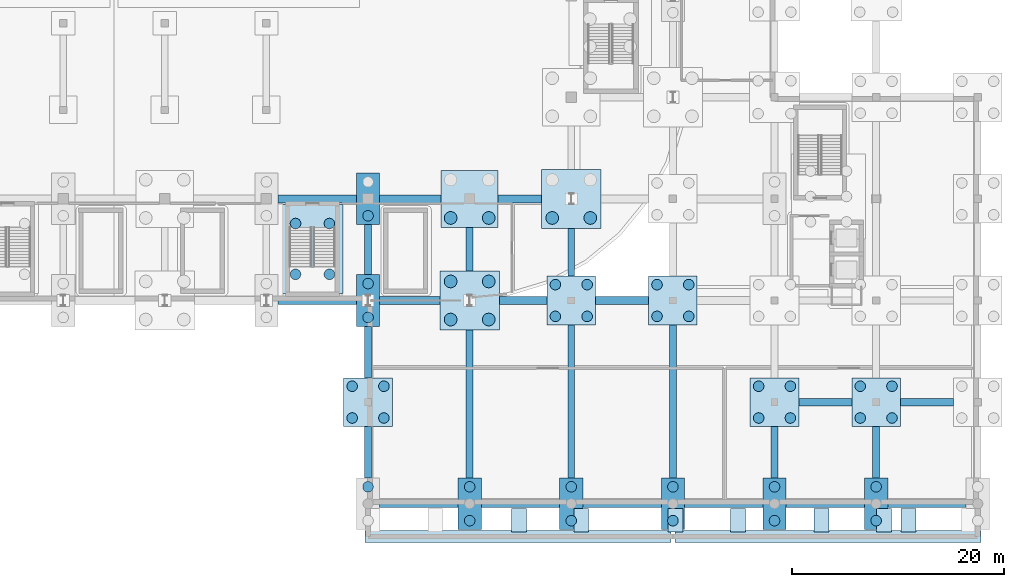
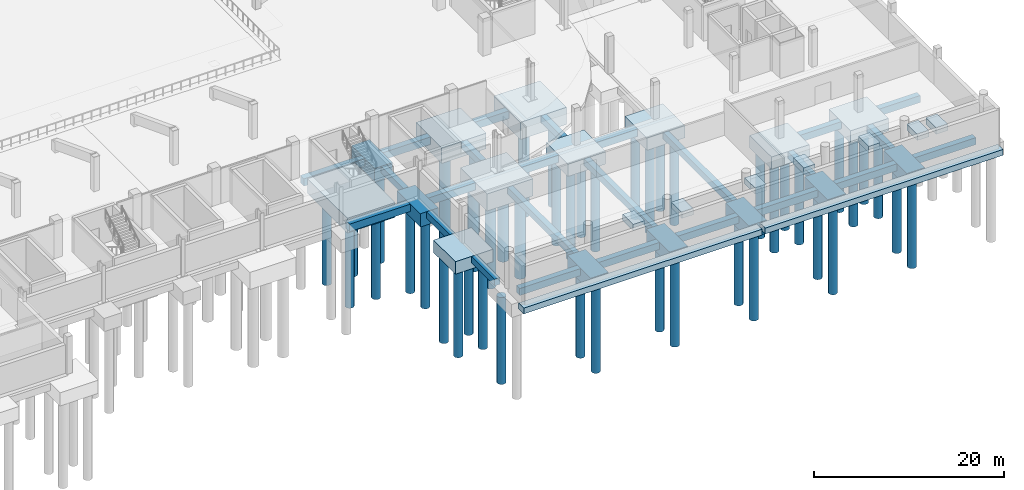
# One storey, part 6 of 67: 50 footings, 46 piles.
"""IFC4 building model written with IfcOpenShell, lengths in metres."""

import ifcopenshell
import ifcopenshell.guid

model = None  # the IFC model being written
_history = None  # IfcOwnerHistory: only IFC2X3 demands one
_inside = {}  # id of a spatial element -> (the spatial element, [elements in it])
_under = {}  # id of a project, library or spatial element -> (it, [spatial elements below it])
_declared = {}  # id of a project -> (the project, [libraries it declares])
_typed = {}  # id of a type object -> (the type object, [elements of that type])
_made_of = {}  # id of a material, layer set ... -> (it, [elements and type objects made of it])


def new_model(schema):
    """Start an empty IFC model of exactly this schema.

    Asked for "IFC4X3", IfcOpenShell would pick the latest addendum, in which some entities
    have other attributes; the version numbers below select the first issue.
    IFC2X3 requires an IfcOwnerHistory on every rooted entity: one is made here for all.
    """
    global model, _history
    if schema == "IFC4X3":
        model = ifcopenshell.file(schema_version=(4, 3, 0, 0))
    else:
        model = ifcopenshell.file(schema=schema)
    _inside.clear()
    _under.clear()
    _declared.clear()
    _typed.clear()
    _made_of.clear()
    _history = None
    if model.schema == "IFC2X3":
        org = make("IfcOrganization", Name="unknown")
        user = make(
            "IfcPersonAndOrganization",
            ThePerson=make("IfcPerson", FamilyName="unknown"),
            TheOrganization=org,
        )
        app = make(
            "IfcApplication",
            ApplicationDeveloper=org,
            Version="unknown",
            ApplicationFullName="unknown",
            ApplicationIdentifier="unknown",
        )
        _history = make(
            "IfcOwnerHistory",
            OwningUser=user,
            OwningApplication=app,
            ChangeAction="ADDED",
            CreationDate=0,
        )
    return model


def make(cls, **values):
    """One entity of the class cls with the attributes given. An attribute that is None is left unset."""
    return model.create_entity(
        cls, **{name: value for name, value in values.items() if value is not None}
    )


def rooted(cls, **values):
    """An entity with a GlobalId (a new one), such as an element, a storey or a relation."""
    return make(cls, GlobalId=ifcopenshell.guid.new(), OwnerHistory=_history, **values)


def si_unit(unit_type, name, prefix=None):
    """IfcSIUnit, for example si_unit("LENGTHUNIT", "METRE", prefix="MILLI")."""
    return make("IfcSIUnit", UnitType=unit_type, Prefix=prefix, Name=name)


def assignment(units):
    """IfcUnitAssignment: the units of a project."""
    return None if units is None else make("IfcUnitAssignment", Units=units)


def point(xyz):
    """IfcCartesianPoint."""
    return None if xyz is None else make("IfcCartesianPoint", Coordinates=xyz)


def direction(xyz):
    """IfcDirection."""
    return None if xyz is None else make("IfcDirection", DirectionRatios=xyz)


def frame(location, z_axis=None, x_axis=None):
    """IfcAxis2Placement3D, a coordinate frame: its origin and axes. An axis left out is left unset."""
    return make(
        "IfcAxis2Placement3D",
        Location=point(location),
        Axis=direction(z_axis),
        RefDirection=direction(x_axis),
    )


def frame_2d(location, x_axis=None):
    """IfcAxis2Placement2D, a coordinate frame in the plane: its origin and x axis."""
    return make(
        "IfcAxis2Placement2D", Location=point(location), RefDirection=direction(x_axis)
    )


def origin():
    """The frame at (0, 0, 0) with its axes left unset."""
    return frame((0.0, 0.0, 0.0))


def origin_2d():
    """The frame at (0, 0) in the plane with its x axis left unset."""
    return frame_2d((0.0, 0.0))


def place(relative_to, where):
    """IfcLocalPlacement: puts the frame where relative to a parent placement (None: the world)."""
    return make(
        "IfcLocalPlacement", PlacementRelTo=relative_to, RelativePlacement=where
    )


def context(
    kind, dimensions, precision=None, world=None, true_north=None, identifier=None
):
    """IfcGeometricRepresentationContext, for example the 3D "Model" context."""
    return make(
        "IfcGeometricRepresentationContext",
        ContextIdentifier=identifier,
        ContextType=kind,
        CoordinateSpaceDimension=dimensions,
        Precision=precision,
        WorldCoordinateSystem=world,
        TrueNorth=true_north,
    )


def subcontext(parent, identifier, kind, view, scale=None):
    """IfcGeometricRepresentationSubContext, for example "Body" below "Model"."""
    return make(
        "IfcGeometricRepresentationSubContext",
        ContextIdentifier=identifier,
        ContextType=kind,
        ParentContext=parent,
        TargetScale=scale,
        TargetView=view,
    )


def project(units=None, contexts=None):
    """IfcProject with its units and contexts."""
    return rooted(
        "IfcProject",
        Name="project",
        RepresentationContexts=contexts,
        UnitsInContext=assignment(units),
    )


def spatial(cls, under=None, at=None, **own):
    """A site, building, storey or space (cls), placed at a placement, below another one or the project."""
    s = rooted(cls, ObjectPlacement=at, **own)
    if under is not None:
        _under.setdefault(under.id(), (under, []))[1].append(s)
    return s


def polyline(points):
    """IfcPolyline through the points."""
    return make("IfcPolyline", Points=[point(p) for p in points])


def profile(cls, at=None, kind="AREA", **sizes):
    """A parametric profile (cls). Its sizes go by their IFC names, for example OverallWidth=200.0."""
    return make(cls, ProfileType=kind, Position=at, **sizes)


def rectangle(**sizes):
    """IfcRectangleProfileDef."""
    return profile("IfcRectangleProfileDef", **sizes)


def circle(**sizes):
    """IfcCircleProfileDef."""
    return profile("IfcCircleProfileDef", **sizes)


def outline(outer, holes=None, kind="AREA"):
    """IfcArbitraryClosedProfileDef: a profile drawn as a closed curve; with holes, ...WithVoids."""
    if holes is None:
        return make("IfcArbitraryClosedProfileDef", ProfileType=kind, OuterCurve=outer)
    return make(
        "IfcArbitraryProfileDefWithVoids",
        ProfileType=kind,
        OuterCurve=outer,
        InnerCurves=holes,
    )


def extrude(swept, where, along, depth):
    """IfcExtrudedAreaSolid: the profile swept, set in the frame where, extruded along a direction by depth."""
    return make(
        "IfcExtrudedAreaSolid",
        SweptArea=swept,
        Position=where,
        ExtrudedDirection=direction(along),
        Depth=depth,
    )


def shape(context_of_items, identifier, shape_type, items):
    """IfcShapeRepresentation: the items that make up one representation, for example the "Body"."""
    return make(
        "IfcShapeRepresentation",
        ContextOfItems=context_of_items,
        RepresentationIdentifier=identifier,
        RepresentationType=shape_type,
        Items=items,
    )


def material(Name=None, Category=None):
    """IfcMaterial."""
    return make("IfcMaterial", Name=Name, Category=Category)


def material_profile(
    of_material, cross_section, Name=None, Category=None, Priority=None
):
    """IfcMaterialProfile: a cross section and its material."""
    return make(
        "IfcMaterialProfile",
        Name=Name,
        Material=of_material,
        Profile=cross_section,
        Priority=Priority,
        Category=Category,
    )


def profile_set(profiles, Name=None, composite=None):
    """IfcMaterialProfileSet."""
    return make(
        "IfcMaterialProfileSet",
        Name=Name,
        MaterialProfiles=profiles,
        CompositeProfile=composite,
    )


def made_of(thing, what):
    """Note that an element or type object is made of a material, layer set ...; save() writes the relation."""
    if what is not None:
        _made_of.setdefault(what.id(), (what, []))[1].append(thing)
    return thing


def type_object(cls, material=None, **own):
    """A type object (cls), such as IfcWallType, which elements share."""
    return made_of(rooted(cls, **own), material)


def element(
    cls,
    number,
    at=None,
    inside=None,
    cuts=None,
    type_object=None,
    material=None,
    context=None,
    identifier="Body",
    shape_type=None,
    held_by="IfcProductDefinitionShape",
    body=None,
    shapes=None,
    **own,
):
    """One element of the class cls, such as IfcWall. Its Tag is "e" and its number.

    at: its placement. inside: the storey or other place that contains it. cuts: it is an
    opening in that element (IfcRelVoidsElement). A single representation is given by context,
    identifier, shape_type and body (its items); several are given by shapes. held_by: the class
    of the entity that holds the representations. save() writes the other relations.
    """
    e = rooted(cls, Tag="e%d" % number, ObjectPlacement=at, **own)
    if body is not None:
        shapes = [shape(context, identifier, shape_type, body)]
    if shapes is not None:
        e.Representation = make(held_by, Representations=shapes)
    if inside is not None:
        _inside.setdefault(inside.id(), (inside, []))[1].append(e)
    if cuts is not None:
        rooted(
            "IfcRelVoidsElement", RelatingBuildingElement=cuts, RelatedOpeningElement=e
        )
    if type_object is not None:
        _typed.setdefault(type_object.id(), (type_object, []))[1].append(e)
    return made_of(e, material)


def aggregate(whole, parts):
    """IfcRelAggregates: a whole, such as a stair, and the parts it consists of."""
    return rooted("IfcRelAggregates", RelatingObject=whole, RelatedObjects=parts)


def save(model, path):
    """Write the relations noted so far, then the file.

    IfcRelAggregates (storeys below a building ...), IfcRelContainedInSpatialStructure (elements
    in a storey), IfcRelDefinesByType, IfcRelAssociatesMaterial and IfcRelDeclares: one each for
    every whole, place, type object, material and project.
    """
    for whole, parts in _under.values():
        aggregate(whole, parts)
    for where, things in _inside.values():
        rooted(
            "IfcRelContainedInSpatialStructure",
            RelatedElements=things,
            RelatingStructure=where,
        )
    for kind, things in _typed.values():
        rooted("IfcRelDefinesByType", RelatedObjects=things, RelatingType=kind)
    for what, things in _made_of.values():
        rooted("IfcRelAssociatesMaterial", RelatedObjects=things, RelatingMaterial=what)
    for by, libraries in _declared.values():
        rooted("IfcRelDeclares", RelatingContext=by, RelatedDefinitions=libraries)
    model.write(path)


model = new_model("IFC4")

# Units and contexts
model_context = context("Model", 3, precision=1e-05, world=origin(), true_north=direction((0.0, 1.0)))
body_context = subcontext(model_context, "Body", "Model", "MODEL_VIEW")
ifc_project = project(units=[si_unit("LENGTHUNIT", "METRE"), si_unit("AREAUNIT", "SQUARE_METRE"), si_unit("VOLUMEUNIT", "CUBIC_METRE"), si_unit("PLANEANGLEUNIT", "RADIAN"), si_unit("MASSUNIT", "GRAM", prefix="KILO")], contexts=[model_context])

# Site, building, storey
site_placement = place(None, origin())
site = spatial("IfcSite", under=ifc_project, at=site_placement, CompositionType="ELEMENT")
building_placement = place(site_placement, origin())
building = spatial("IfcBuilding", under=site, at=building_placement, Name="Caelomonte Colonnade Arena", CompositionType="ELEMENT")
storey_placement = place(building_placement, frame((0.0, 0.0, -4.800048828125)))
storey = spatial("IfcBuildingStorey", under=building, at=storey_placement, Name="B1", CompositionType="ELEMENT", Elevation=-4.800048828125)

# Footings
ifc_material = material(Name="Concrete C40/50", Category="concrete")
footing_type_1 = type_object("IfcFootingType", Name="STR-FB-GB01", PredefinedType="FOOTING_BEAM", material=ifc_material)
footing_1_placement = place(storey_placement, frame((0.0, 0.0, -1.39990234375)))
element("IfcFooting", 1, at=footing_1_placement, inside=storey, type_object=footing_type_1, Name="Ground tie beam X (124.8..134.4, Y=19.2)", PredefinedType="FOOTING_BEAM", context=body_context, shape_type="SweptSolid", body=[
    extrude(outline(polyline([(125.89990234375, 18.824951171875), (133.300048828125, 18.824951171875), (133.300048828125, 19.574951171875), (125.89990234375, 19.574951171875), (125.89990234375, 18.824951171875)])), origin(), (0.0, 0.0, 1.0), 0.949951171875),
])
footing_2_placement = place(storey_placement, frame((0.0, 0.0, -1.39990234375)))
element("IfcFooting", 2, at=footing_2_placement, inside=storey, type_object=footing_type_1, Name="Ground tie beam X (134.4..144.0, Y=19.2)", PredefinedType="FOOTING_BEAM", context=body_context, shape_type="SweptSolid", body=[
    extrude(outline(polyline([(135.5, 18.824951171875), (141.199951171875, 18.824951171875), (141.199951171875, 19.574951171875), (135.5, 19.574951171875), (135.5, 18.824951171875)])), origin(), (0.0, 0.0, 1.0), 0.949951171875),
])
footing_3_placement = place(storey_placement, frame((0.0, 0.0, -1.39990234375)))
element("IfcFooting", 3, at=footing_3_placement, inside=storey, type_object=footing_type_1, Name="Ground tie beam X (144.0..153.6, Y=19.2)", PredefinedType="FOOTING_BEAM", context=body_context, shape_type="SweptSolid", body=[
    extrude(outline(polyline([(146.800048828125, 18.824951171875), (151.300048828125, 18.824951171875), (151.300048828125, 19.574951171875), (146.800048828125, 19.574951171875), (146.800048828125, 18.824951171875)])), origin(), (0.0, 0.0, 1.0), 0.949951171875),
])
footing_4_placement = place(storey_placement, frame((0.0, 0.0, -1.39990234375)))
element("IfcFooting", 4, at=footing_4_placement, inside=storey, type_object=footing_type_1, Name="Ground tie beam X (153.6..163.2, Y=19.2)", PredefinedType="FOOTING_BEAM", context=body_context, shape_type="SweptSolid", body=[
    extrude(outline(polyline([(155.89990234375, 18.824951171875), (160.89990234375, 18.824951171875), (160.89990234375, 19.574951171875), (155.89990234375, 19.574951171875), (155.89990234375, 18.824951171875)])), origin(), (0.0, 0.0, 1.0), 0.949951171875),
])
footing_5_placement = place(storey_placement, frame((0.0, 0.0, -1.39990234375)))
element("IfcFooting", 5, at=footing_5_placement, inside=storey, type_object=footing_type_1, Name="Ground tie beam X (124.8..134.4, Y=28.8)", PredefinedType="FOOTING_BEAM", context=body_context, shape_type="SweptSolid", body=[
    extrude(outline(polyline([(125.89990234375, 28.425048828125), (133.300048828125, 28.425048828125), (133.300048828125, 29.175048828125), (125.89990234375, 29.175048828125), (125.89990234375, 28.425048828125)])), origin(), (0.0, 0.0, 1.0), 0.949951171875),
])
footing_6_placement = place(storey_placement, frame((0.0, 0.0, -1.39990234375)))
element("IfcFooting", 6, at=footing_6_placement, inside=storey, type_object=footing_type_1, Name="Ground tie beam X (134.4..144.0, Y=28.8)", PredefinedType="FOOTING_BEAM", context=body_context, shape_type="SweptSolid", body=[
    extrude(outline(polyline([(135.5, 28.425048828125), (141.300048828125, 28.425048828125), (141.300048828125, 29.175048828125), (135.5, 29.175048828125), (135.5, 28.425048828125)])), origin(), (0.0, 0.0, 1.0), 0.949951171875),
])
footing_7_placement = place(storey_placement, frame((0.0, 0.0, -1.39990234375)))
element("IfcFooting", 7, at=footing_7_placement, inside=storey, type_object=footing_type_1, Name="Ground tie beam X (144.0..153.6, Y=28.8)", PredefinedType="FOOTING_BEAM", context=body_context, shape_type="SweptSolid", body=[
    extrude(outline(polyline([(146.699951171875, 28.425048828125), (150.800048828125, 28.425048828125), (150.800048828125, 29.175048828125), (146.699951171875, 29.175048828125), (146.699951171875, 28.425048828125)])), origin(), (0.0, 0.0, 1.0), 0.949951171875),
])
footing_type_2 = type_object("IfcFootingType", Name="STR-FB-GB02", PredefinedType="FOOTING_BEAM", material=ifc_material)
footing_8_placement = place(storey_placement, frame((0.0, 0.0, -1.349853515625)))
element("IfcFooting", 8, at=footing_8_placement, inside=storey, type_object=footing_type_2, Name="Ground tie beam X (134.4..144.0, Y=0.0)", PredefinedType="FOOTING_BEAM", context=body_context, shape_type="SweptSolid", body=[
    extrude(outline(polyline([(135.5, -0.35009765625), (142.89990234375, -0.35009765625), (142.89990234375, 0.35009765625), (135.5, 0.35009765625), (135.5, -0.35009765625)])), origin(), (0.0, 0.0, 1.0), 0.89990234375),
])
footing_9_placement = place(storey_placement, frame((0.0, 0.0, -1.349853515625)))
element("IfcFooting", 9, at=footing_9_placement, inside=storey, type_object=footing_type_2, Name="Ground tie beam X (144.0..153.6, Y=0.0)", PredefinedType="FOOTING_BEAM", context=body_context, shape_type="SweptSolid", body=[
    extrude(outline(polyline([(145.10009765625, -0.35009765625), (152.5, -0.35009765625), (152.5, 0.35009765625), (145.10009765625, 0.35009765625), (145.10009765625, -0.35009765625)])), origin(), (0.0, 0.0, 1.0), 0.89990234375),
])
footing_10_placement = place(storey_placement, frame((0.0, 0.0, -1.349853515625)))
element("IfcFooting", 10, at=footing_10_placement, inside=storey, type_object=footing_type_2, Name="Ground tie beam X (153.6..163.2, Y=0.0)", PredefinedType="FOOTING_BEAM", context=body_context, shape_type="SweptSolid", body=[
    extrude(outline(polyline([(154.699951171875, -0.35009765625), (162.10009765625, -0.35009765625), (162.10009765625, 0.35009765625), (154.699951171875, 0.35009765625), (154.699951171875, -0.35009765625)])), origin(), (0.0, 0.0, 1.0), 0.89990234375),
])
footing_11_placement = place(storey_placement, frame((0.0, 0.0, -1.349853515625)))
element("IfcFooting", 11, at=footing_11_placement, inside=storey, type_object=footing_type_2, Name="Ground tie beam X (163.2..172.8, Y=0.0)", PredefinedType="FOOTING_BEAM", context=body_context, shape_type="SweptSolid", body=[
    extrude(outline(polyline([(164.300048828125, -0.35009765625), (171.699951171875, -0.35009765625), (171.699951171875, 0.35009765625), (164.300048828125, 0.35009765625), (164.300048828125, -0.35009765625)])), origin(), (0.0, 0.0, 1.0), 0.89990234375),
])
footing_12_placement = place(storey_placement, frame((0.0, 0.0, -1.349853515625)))
element("IfcFooting", 12, at=footing_12_placement, inside=storey, type_object=footing_type_2, Name="Ground tie beam X (172.8..182.4, Y=0.0)", PredefinedType="FOOTING_BEAM", context=body_context, shape_type="SweptSolid", body=[
    extrude(outline(polyline([(173.89990234375, -0.35009765625), (181.300048828125, -0.35009765625), (181.300048828125, 0.35009765625), (173.89990234375, 0.35009765625), (173.89990234375, -0.35009765625)])), origin(), (0.0, 0.0, 1.0), 0.89990234375),
])
footing_13_placement = place(storey_placement, frame((0.0, 0.0, -1.349853515625)))
element("IfcFooting", 13, at=footing_13_placement, inside=storey, type_object=footing_type_2, Name="Ground tie beam X (182.4..192.0, Y=0.0)", PredefinedType="FOOTING_BEAM", context=body_context, shape_type="SweptSolid", body=[
    extrude(outline(polyline([(183.5, -0.35009765625), (190.89990234375, -0.35009765625), (190.89990234375, 0.35009765625), (183.5, 0.35009765625), (183.5, -0.35009765625)])), origin(), (0.0, 0.0, 1.0), 0.89990234375),
])
footing_14_placement = place(storey_placement, frame((0.0, 0.0, -1.349853515625)))
element("IfcFooting", 14, at=footing_14_placement, inside=storey, type_object=footing_type_2, Name="Ground tie beam X (172.8..182.4, Y=9.6)", PredefinedType="FOOTING_BEAM", context=body_context, shape_type="SweptSolid", body=[
    extrude(outline(polyline([(175.10009765625, 9.25), (180.10009765625, 9.25), (180.10009765625, 9.949951171875), (175.10009765625, 9.949951171875), (175.10009765625, 9.25)])), origin(), (0.0, 0.0, 1.0), 0.89990234375),
])
footing_15_placement = place(storey_placement, frame((0.0, 0.0, -1.349853515625)))
element("IfcFooting", 15, at=footing_15_placement, inside=storey, type_object=footing_type_2, Name="Ground tie beam X (182.4..192.0, Y=9.6)", PredefinedType="FOOTING_BEAM", context=body_context, shape_type="SweptSolid", body=[
    extrude(outline(polyline([(184.699951171875, 9.25), (189.699951171875, 9.25), (189.699951171875, 9.949951171875), (184.699951171875, 9.949951171875), (184.699951171875, 9.25)])), origin(), (0.0, 0.0, 1.0), 0.89990234375),
])
footing_type_3 = type_object("IfcFootingType", Name="STR-FB-GB03", PredefinedType="FOOTING_BEAM", material=ifc_material)
footing_16_placement = place(storey_placement, frame((0.0, 0.0, -1.300048828125)))
element("IfcFooting", 16, at=footing_16_placement, inside=storey, type_object=footing_type_3, Name="Ground tie beam Y (X=134.4, 0.0..9.6)", PredefinedType="FOOTING_BEAM", context=body_context, shape_type="SweptSolid", body=[
    extrude(outline(polyline([(134.074951171875, 2.43994140625), (134.72509765625, 2.43994140625), (134.72509765625, 7.300048828125), (134.074951171875, 7.300048828125), (134.074951171875, 2.43994140625)])), origin(), (0.0, 0.0, 1.0), 0.85009765625),
])
footing_17_placement = place(storey_placement, frame((0.0, 0.0, -1.300048828125)))
element("IfcFooting", 17, at=footing_17_placement, inside=storey, type_object=footing_type_3, Name="Ground tie beam Y (X=134.4, 9.6..19.2)", PredefinedType="FOOTING_BEAM", context=body_context, shape_type="SweptSolid", body=[
    extrude(outline(polyline([(134.074951171875, 11.89990234375), (134.72509765625, 11.89990234375), (134.72509765625, 16.760009765625), (134.074951171875, 16.760009765625), (134.074951171875, 11.89990234375)])), origin(), (0.0, 0.0, 1.0), 0.85009765625),
])
footing_18_placement = place(storey_placement, frame((0.0, 0.0, -1.300048828125)))
element("IfcFooting", 18, at=footing_18_placement, inside=storey, type_object=footing_type_3, Name="Ground tie beam Y (X=134.4, 19.2..28.8)", PredefinedType="FOOTING_BEAM", context=body_context, shape_type="SweptSolid", body=[
    extrude(outline(polyline([(134.074951171875, 21.639892578125), (134.72509765625, 21.639892578125), (134.72509765625, 26.360107421875), (134.074951171875, 26.360107421875), (134.074951171875, 21.639892578125)])), origin(), (0.0, 0.0, 1.0), 0.85009765625),
])
footing_19_placement = place(storey_placement, frame((0.0, 0.0, -1.300048828125)))
element("IfcFooting", 19, at=footing_19_placement, inside=storey, type_object=footing_type_3, Name="Ground tie beam Y (X=144.0, 0.0..19.2)", PredefinedType="FOOTING_BEAM", context=body_context, shape_type="SweptSolid", body=[
    extrude(outline(polyline([(143.675048828125, 2.43994140625), (144.324951171875, 2.43994140625), (144.324951171875, 16.39990234375), (143.675048828125, 16.39990234375), (143.675048828125, 2.43994140625)])), origin(), (0.0, 0.0, 1.0), 0.85009765625),
])
footing_20_placement = place(storey_placement, frame((0.0, 0.0, -1.300048828125)))
element("IfcFooting", 20, at=footing_20_placement, inside=storey, type_object=footing_type_3, Name="Ground tie beam Y (X=144.0, 19.2..28.8)", PredefinedType="FOOTING_BEAM", context=body_context, shape_type="SweptSolid", body=[
    extrude(outline(polyline([(143.675048828125, 22.0), (144.324951171875, 22.0), (144.324951171875, 26.10009765625), (143.675048828125, 26.10009765625), (143.675048828125, 22.0)])), origin(), (0.0, 0.0, 1.0), 0.85009765625),
])
footing_21_placement = place(storey_placement, frame((0.0, 0.0, -1.300048828125)))
element("IfcFooting", 21, at=footing_21_placement, inside=storey, type_object=footing_type_3, Name="Ground tie beam Y (X=153.6, 0.0..19.2)", PredefinedType="FOOTING_BEAM", context=body_context, shape_type="SweptSolid", body=[
    extrude(outline(polyline([(153.27490234375, 2.43994140625), (153.925048828125, 2.43994140625), (153.925048828125, 16.89990234375), (153.27490234375, 16.89990234375), (153.27490234375, 2.43994140625)])), origin(), (0.0, 0.0, 1.0), 0.85009765625),
])
footing_22_placement = place(storey_placement, frame((0.0, 0.0, -1.300048828125)))
element("IfcFooting", 22, at=footing_22_placement, inside=storey, type_object=footing_type_3, Name="Ground tie beam Y (X=153.6, 19.2..28.8)", PredefinedType="FOOTING_BEAM", context=body_context, shape_type="SweptSolid", body=[
    extrude(outline(polyline([(153.27490234375, 21.5), (153.925048828125, 21.5), (153.925048828125, 26.0), (153.27490234375, 26.0), (153.27490234375, 21.5)])), origin(), (0.0, 0.0, 1.0), 0.85009765625),
])
footing_23_placement = place(storey_placement, frame((0.0, 0.0, -1.300048828125)))
element("IfcFooting", 23, at=footing_23_placement, inside=storey, type_object=footing_type_3, Name="Ground tie beam Y (X=163.2, 0.0..19.2)", PredefinedType="FOOTING_BEAM", context=body_context, shape_type="SweptSolid", body=[
    extrude(outline(polyline([(162.875, 2.43994140625), (163.52490234375, 2.43994140625), (163.52490234375, 16.89990234375), (162.875, 16.89990234375), (162.875, 2.43994140625)])), origin(), (0.0, 0.0, 1.0), 0.85009765625),
])
footing_24_placement = place(storey_placement, frame((0.0, 0.0, -1.300048828125)))
element("IfcFooting", 24, at=footing_24_placement, inside=storey, type_object=footing_type_3, Name="Ground tie beam Y (X=172.8, 0.0..9.6)", PredefinedType="FOOTING_BEAM", context=body_context, shape_type="SweptSolid", body=[
    extrude(outline(polyline([(172.47509765625, 2.43994140625), (173.125, 2.43994140625), (173.125, 7.300048828125), (172.47509765625, 7.300048828125), (172.47509765625, 2.43994140625)])), origin(), (0.0, 0.0, 1.0), 0.85009765625),
])
footing_25_placement = place(storey_placement, frame((0.0, 0.0, -1.300048828125)))
element("IfcFooting", 25, at=footing_25_placement, inside=storey, type_object=footing_type_3, Name="Ground tie beam Y (X=182.4, 0.0..9.6)", PredefinedType="FOOTING_BEAM", context=body_context, shape_type="SweptSolid", body=[
    extrude(outline(polyline([(182.074951171875, 2.43994140625), (182.72509765625, 2.43994140625), (182.72509765625, 7.300048828125), (182.074951171875, 7.300048828125), (182.074951171875, 2.43994140625)])), origin(), (0.0, 0.0, 1.0), 0.85009765625),
])
footing_type_4 = type_object("IfcFootingType", Name="STR-FC-PC01", PredefinedType="PILE_CAP", material=ifc_material)
for number, where, z_axis, x_axis, name in (
    (26, (144.0, 19.199951171875, -2.64990234375), (0.0, 0.0, 1.0), (1.0, 0.0, 0.0), "Pile cap FC-1440-0192"),
    (27, (153.60009765625, 28.800048828125, -2.64990234375), (0.0, 0.0, 1.0), (1.0, 0.0, 0.0), "Pile cap FC-1536-0288"),
):
    element("IfcFooting", number, at=place(storey_placement, frame(where, z_axis=z_axis, x_axis=x_axis)), inside=storey, type_object=footing_type_4, Name=name, PredefinedType="PILE_CAP", context=body_context, shape_type="SweptSolid", body=[
        extrude(rectangle(XDim=5.60009765625, YDim=5.60009765625, at=origin_2d()), origin(), (0.0, 0.0, 1.0), 2.199951171875),
    ])
footing_type_5 = type_object("IfcFootingType", Name="STR-FC-PC02", PredefinedType="PILE_CAP", material=ifc_material)
footing_26_placement = place(storey_placement, frame((144.0, 28.800048828125, -2.449951171875), z_axis=(0.0, 0.0, 1.0), x_axis=(1.0, 0.0, 0.0)))
element("IfcFooting", 28, at=footing_26_placement, inside=storey, type_object=footing_type_5, Name="Pile cap FC-1440-0288", PredefinedType="PILE_CAP", context=body_context, shape_type="SweptSolid", body=[
    extrude(rectangle(XDim=5.39990234375, YDim=5.39990234375, at=origin_2d()), origin(), (0.0, 0.0, 1.0), 2.0),
])
footing_type_6 = type_object("IfcFootingType", Name="STR-FC-PC07", PredefinedType="PILE_CAP", material=ifc_material)
for number, where, z_axis, x_axis, name in (
    (29, (134.39990234375, 19.199951171875, -2.14990234375), (0.0, 0.0, 1.0), (1.0, 0.0, 0.0), "Pile cap FC-1344-0192"),
    (30, (134.39990234375, 28.800048828125, -2.14990234375), (0.0, 0.0, 1.0), (1.0, 0.0, 0.0), "Pile cap FC-1344-0288"),
    (31, (144.0, 0.0, -2.14990234375), (0.0, 0.0, 1.0), (1.0, 0.0, 0.0), "Pile cap FC-1440-0000"),
    (32, (153.60009765625, 0.0, -2.14990234375), (0.0, 0.0, 1.0), (1.0, 0.0, 0.0), "Pile cap FC-1536-0000"),
    (33, (163.199951171875, 0.0, -2.14990234375), (0.0, 0.0, 1.0), (1.0, 0.0, 0.0), "Pile cap FC-1632-0000"),
    (34, (172.800048828125, 0.0, -2.14990234375), (0.0, 0.0, 1.0), (1.0, 0.0, 0.0), "Pile cap FC-1728-0000"),
    (35, (182.39990234375, 0.0, -2.14990234375), (0.0, 0.0, 1.0), (1.0, 0.0, 0.0), "Pile cap FC-1824-0000"),
):
    element("IfcFooting", number, at=place(storey_placement, frame(where, z_axis=z_axis, x_axis=x_axis)), inside=storey, type_object=footing_type_6, Name=name, PredefinedType="PILE_CAP", context=body_context, shape_type="SweptSolid", body=[
        extrude(rectangle(XDim=2.199951171875, YDim=4.8798828125, at=origin_2d()), origin(), (0.0, 0.0, 1.0), 1.699951171875),
    ])
footing_type_7 = type_object("IfcFootingType", Name="STR-FC-PC09", PredefinedType="PILE_CAP", material=ifc_material)
for number, where, z_axis, x_axis, name in (
    (36, (134.39990234375, 9.60009765625, -2.050048828125), (0.0, 0.0, 1.0), (1.0, 0.0, 0.0), "Pile cap FC-1344-0096"),
    (37, (153.60009765625, 19.199951171875, -2.050048828125), (0.0, 0.0, 1.0), (1.0, 0.0, 0.0), "Pile cap FC-1536-0192"),
    (38, (163.199951171875, 19.199951171875, -2.050048828125), (0.0, 0.0, 1.0), (1.0, 0.0, 0.0), "Pile cap FC-1632-0192"),
    (39, (172.800048828125, 9.60009765625, -2.050048828125), (0.0, 0.0, 1.0), (1.0, 0.0, 0.0), "Pile cap FC-1728-0096"),
    (40, (182.39990234375, 9.60009765625, -2.050048828125), (0.0, 0.0, 1.0), (1.0, 0.0, 0.0), "Pile cap FC-1824-0096"),
):
    element("IfcFooting", number, at=place(storey_placement, frame(where, z_axis=z_axis, x_axis=x_axis)), inside=storey, type_object=footing_type_7, Name=name, PredefinedType="PILE_CAP", context=body_context, shape_type="SweptSolid", body=[
        extrude(rectangle(XDim=4.60009765625, YDim=4.60009765625, at=origin_2d()), origin(), (0.0, 0.0, 1.0), 1.60009765625),
    ])
footing_type_8 = type_object("IfcFootingType", Name="STR-FC-PC12", PredefinedType="PILE_CAP", material=ifc_material)
footing_27_placement = place(storey_placement, frame((129.14990234375, 24.074951171875, -2.349853515625), z_axis=(0.0, 0.0, 1.0), x_axis=(1.0, 0.0, 0.0)))
element("IfcFooting", 41, at=footing_27_placement, inside=storey, type_object=footing_type_8, Name="Exit stair ST-13 pile cap", PredefinedType="PILE_CAP", context=body_context, shape_type="SweptSolid", body=[
    extrude(rectangle(XDim=5.800048828125, YDim=8.39990234375, at=origin_2d()), origin(), (0.0, 0.0, 1.0), 1.89990234375),
])
footing_type_9 = type_object("IfcFootingType", Name="STR-FD-PF02", PredefinedType="PAD_FOOTING", material=ifc_material)
for number, where, z_axis, x_axis, name in (
    (42, (154.550048828125, -1.550048828125, 3.52001953125), (0.0, 0.0, 1.0), (1.0, 0.0, 0.0), "Accessible ramp PR-02 toe footing"),
    (43, (148.64990234375, -1.550048828125, 4.02001953125), (0.0, 0.0, 1.0), (1.0, 0.0, 0.0), "Accessible ramp PR-02 head footing"),
    (44, (163.449951171875, -1.550048828125, 3.52001953125), (0.0, 0.0, 1.0), (1.0, 0.0, 0.0), "Accessible ramp PR-03 toe footing"),
    (45, (169.35009765625, -1.550048828125, 4.02001953125), (0.0, 0.0, 1.0), (1.0, 0.0, 0.0), "Accessible ramp PR-03 head footing"),
    (46, (183.14990234375, -1.550048828125, 3.52001953125), (0.0, 0.0, 1.0), (1.0, 0.0, 0.0), "Accessible ramp PR-04 toe footing"),
    (47, (177.25, -1.550048828125, 4.02001953125), (0.0, 0.0, 1.0), (1.0, 0.0, 0.0), "Accessible ramp PR-04 head footing"),
    (48, (185.449951171875, -1.550048828125, 3.52001953125), (0.0, 0.0, 1.0), (1.0, 0.0, 0.0), "Accessible ramp PR-05 toe footing"),
):
    element("IfcFooting", number, at=place(storey_placement, frame(where, z_axis=z_axis, x_axis=x_axis)), inside=storey, type_object=footing_type_9, Name=name, PredefinedType="PAD_FOOTING", context=body_context, shape_type="SweptSolid", body=[
        extrude(rectangle(XDim=1.39990234375, YDim=2.199951171875, at=origin_2d()), origin(), (0.0, 0.0, 1.0), 0.800048828125),
    ])
footing_type_10 = type_object("IfcFootingType", Name="STR-FD-SF01", PredefinedType="STRIP_FOOTING", material=ifc_material)
footing_28_placement = place(storey_placement, frame((0.0, 0.0, -1.199951171875)))
element("IfcFooting", 49, at=footing_28_placement, inside=storey, type_object=footing_type_10, Name="Bowl perimeter strip footing SF-PR-S1", PredefinedType="STRIP_FOOTING", context=body_context, shape_type="SweptSolid", body=[
    extrude(outline(polyline([(134.10009765625, -3.64990234375), (163.0, -3.64990234375), (163.0, -2.550048828125), (134.10009765625, -2.550048828125), (134.10009765625, -3.64990234375)])), origin(), (0.0, 0.0, 1.0), 0.75),
])
footing_29_placement = place(storey_placement, frame((0.0, 0.0, -1.199951171875)))
element("IfcFooting", 50, at=footing_29_placement, inside=storey, type_object=footing_type_10, Name="Bowl perimeter strip footing SF-PR-S2", PredefinedType="STRIP_FOOTING", context=body_context, shape_type="SweptSolid", body=[
    extrude(outline(polyline([(163.39990234375, -3.64990234375), (192.300048828125, -3.64990234375), (192.300048828125, -2.550048828125), (163.39990234375, -2.550048828125), (163.39990234375, -3.64990234375)])), origin(), (0.0, 0.0, 1.0), 0.75),
])

# Piles
ifc_material_profile_1 = material_profile(ifc_material, circle(Radius=0.5, at=origin_2d()), Name="PILE-D1000")
ifc_profile_set_1 = profile_set([ifc_material_profile_1], Name="Concrete C40/50")
pile_type_1 = type_object("IfcPileType", Name="STR-PL-D1000", PredefinedType="BORED", material=ifc_profile_set_1)
for number, where, z_axis, x_axis, name in (
    (51, (127.550048828125, 21.675048828125, -2.25), (0.0, 0.0, -1.0), (1.0, 0.0, 0.0), "Stair ST-13 rock-socketed pile 1"),
    (52, (127.550048828125, 26.47509765625, -2.25), (0.0, 0.0, -1.0), (1.0, 0.0, 0.0), "Stair ST-13 rock-socketed pile 2"),
    (53, (130.75, 21.675048828125, -2.25), (0.0, 0.0, -1.0), (1.0, 0.0, 0.0), "Stair ST-13 rock-socketed pile 3"),
    (54, (130.75, 26.47509765625, -2.25), (0.0, 0.0, -1.0), (1.0, 0.0, 0.0), "Stair ST-13 rock-socketed pile 4"),
):
    element("IfcPile", number, at=place(storey_placement, frame(where, z_axis=z_axis, x_axis=x_axis)), inside=storey, type_object=pile_type_1, Name=name, PredefinedType="BORED", context=body_context, shape_type="SweptSolid", body=[
        extrude(circle(Radius=0.5, at=origin_2d()), origin(), (0.0, 0.0, 1.0), 10.949951171875),
    ])
pile_placement = place(storey_placement, frame((134.39990234375, 1.60009765625, -2.050048828125), z_axis=(0.0, 0.0, -1.0), x_axis=(1.0, 0.0, 0.0)))
element("IfcPile", 55, at=pile_placement, inside=storey, type_object=pile_type_1, Name="Rock-socketed bored pile FC-1344-0000-2", PredefinedType="BORED", context=body_context, shape_type="SweptSolid", body=[
    extrude(circle(Radius=0.5, at=origin_2d()), origin(), (0.0, 0.0, 1.0), 11.14990234375),
])
for number, where, z_axis, x_axis, name in (
    (56, (132.89990234375, 8.10009765625, -1.949951171875), (0.0, 0.0, -1.0), (1.0, 0.0, 0.0), "Rock-socketed bored pile FC-1344-0096-1"),
    (57, (135.89990234375, 8.10009765625, -1.949951171875), (0.0, 0.0, -1.0), (1.0, 0.0, 0.0), "Rock-socketed bored pile FC-1344-0096-2"),
    (58, (132.89990234375, 11.10009765625, -1.949951171875), (0.0, 0.0, -1.0), (1.0, 0.0, 0.0), "Rock-socketed bored pile FC-1344-0096-3"),
    (59, (135.89990234375, 11.10009765625, -1.949951171875), (0.0, 0.0, -1.0), (1.0, 0.0, 0.0), "Rock-socketed bored pile FC-1344-0096-4"),
):
    element("IfcPile", number, at=place(storey_placement, frame(where, z_axis=z_axis, x_axis=x_axis)), inside=storey, type_object=pile_type_1, Name=name, PredefinedType="BORED", context=body_context, shape_type="SweptSolid", body=[
        extrude(circle(Radius=0.5, at=origin_2d()), origin(), (0.0, 0.0, 1.0), 11.25),
    ])
for number, where, z_axis, x_axis, name in (
    (60, (134.39990234375, 17.60009765625, -2.050048828125), (0.0, 0.0, -1.0), (1.0, 0.0, 0.0), "Rock-socketed bored pile FC-1344-0192-1"),
    (61, (134.39990234375, 20.800048828125, -2.050048828125), (0.0, 0.0, -1.0), (1.0, 0.0, 0.0), "Rock-socketed bored pile FC-1344-0192-2"),
    (62, (134.39990234375, 27.199951171875, -2.050048828125), (0.0, 0.0, -1.0), (1.0, 0.0, 0.0), "Rock-socketed bored pile FC-1344-0288-1"),
    (63, (144.0, -1.60009765625, -2.050048828125), (0.0, 0.0, -1.0), (1.0, 0.0, 0.0), "Rock-socketed bored pile FC-1440-0000-1"),
    (64, (144.0, 1.60009765625, -2.050048828125), (0.0, 0.0, -1.0), (1.0, 0.0, 0.0), "Rock-socketed bored pile FC-1440-0000-2"),
    (65, (153.60009765625, -1.60009765625, -2.050048828125), (0.0, 0.0, -1.0), (1.0, 0.0, 0.0), "Rock-socketed bored pile FC-1536-0000-1"),
    (66, (153.60009765625, 1.60009765625, -2.050048828125), (0.0, 0.0, -1.0), (1.0, 0.0, 0.0), "Rock-socketed bored pile FC-1536-0000-2"),
):
    element("IfcPile", number, at=place(storey_placement, frame(where, z_axis=z_axis, x_axis=x_axis)), inside=storey, type_object=pile_type_1, Name=name, PredefinedType="BORED", context=body_context, shape_type="SweptSolid", body=[
        extrude(circle(Radius=0.5, at=origin_2d()), origin(), (0.0, 0.0, 1.0), 11.14990234375),
    ])
for number, where, z_axis, x_axis, name in (
    (67, (152.10009765625, 17.699951171875, -1.949951171875), (0.0, 0.0, -1.0), (1.0, 0.0, 0.0), "Rock-socketed bored pile FC-1536-0192-1"),
    (68, (155.10009765625, 17.699951171875, -1.949951171875), (0.0, 0.0, -1.0), (1.0, 0.0, 0.0), "Rock-socketed bored pile FC-1536-0192-2"),
    (69, (152.10009765625, 20.699951171875, -1.949951171875), (0.0, 0.0, -1.0), (1.0, 0.0, 0.0), "Rock-socketed bored pile FC-1536-0192-3"),
    (70, (155.10009765625, 20.699951171875, -1.949951171875), (0.0, 0.0, -1.0), (1.0, 0.0, 0.0), "Rock-socketed bored pile FC-1536-0192-4"),
):
    element("IfcPile", number, at=place(storey_placement, frame(where, z_axis=z_axis, x_axis=x_axis)), inside=storey, type_object=pile_type_1, Name=name, PredefinedType="BORED", context=body_context, shape_type="SweptSolid", body=[
        extrude(circle(Radius=0.5, at=origin_2d()), origin(), (0.0, 0.0, 1.0), 11.25),
    ])
for number, where, z_axis, x_axis, name in (
    (71, (163.199951171875, -1.60009765625, -2.050048828125), (0.0, 0.0, -1.0), (1.0, 0.0, 0.0), "Rock-socketed bored pile FC-1632-0000-1"),
    (72, (163.199951171875, 1.60009765625, -2.050048828125), (0.0, 0.0, -1.0), (1.0, 0.0, 0.0), "Rock-socketed bored pile FC-1632-0000-2"),
):
    element("IfcPile", number, at=place(storey_placement, frame(where, z_axis=z_axis, x_axis=x_axis)), inside=storey, type_object=pile_type_1, Name=name, PredefinedType="BORED", context=body_context, shape_type="SweptSolid", body=[
        extrude(circle(Radius=0.5, at=origin_2d()), origin(), (0.0, 0.0, 1.0), 11.14990234375),
    ])
for number, where, z_axis, x_axis, name in (
    (73, (161.699951171875, 17.699951171875, -1.949951171875), (0.0, 0.0, -1.0), (1.0, 0.0, 0.0), "Rock-socketed bored pile FC-1632-0192-1"),
    (74, (164.699951171875, 17.699951171875, -1.949951171875), (0.0, 0.0, -1.0), (1.0, 0.0, 0.0), "Rock-socketed bored pile FC-1632-0192-2"),
    (75, (161.699951171875, 20.699951171875, -1.949951171875), (0.0, 0.0, -1.0), (1.0, 0.0, 0.0), "Rock-socketed bored pile FC-1632-0192-3"),
    (76, (164.699951171875, 20.699951171875, -1.949951171875), (0.0, 0.0, -1.0), (1.0, 0.0, 0.0), "Rock-socketed bored pile FC-1632-0192-4"),
):
    element("IfcPile", number, at=place(storey_placement, frame(where, z_axis=z_axis, x_axis=x_axis)), inside=storey, type_object=pile_type_1, Name=name, PredefinedType="BORED", context=body_context, shape_type="SweptSolid", body=[
        extrude(circle(Radius=0.5, at=origin_2d()), origin(), (0.0, 0.0, 1.0), 11.25),
    ])
for number, where, z_axis, x_axis, name in (
    (77, (172.800048828125, -1.60009765625, -2.050048828125), (0.0, 0.0, -1.0), (1.0, 0.0, 0.0), "Rock-socketed bored pile FC-1728-0000-1"),
    (78, (172.800048828125, 1.60009765625, -2.050048828125), (0.0, 0.0, -1.0), (1.0, 0.0, 0.0), "Rock-socketed bored pile FC-1728-0000-2"),
):
    element("IfcPile", number, at=place(storey_placement, frame(where, z_axis=z_axis, x_axis=x_axis)), inside=storey, type_object=pile_type_1, Name=name, PredefinedType="BORED", context=body_context, shape_type="SweptSolid", body=[
        extrude(circle(Radius=0.5, at=origin_2d()), origin(), (0.0, 0.0, 1.0), 11.14990234375),
    ])
for number, where, z_axis, x_axis, name in (
    (79, (171.300048828125, 8.10009765625, -1.949951171875), (0.0, 0.0, -1.0), (1.0, 0.0, 0.0), "Rock-socketed bored pile FC-1728-0096-1"),
    (80, (174.300048828125, 8.10009765625, -1.949951171875), (0.0, 0.0, -1.0), (1.0, 0.0, 0.0), "Rock-socketed bored pile FC-1728-0096-2"),
    (81, (171.300048828125, 11.10009765625, -1.949951171875), (0.0, 0.0, -1.0), (1.0, 0.0, 0.0), "Rock-socketed bored pile FC-1728-0096-3"),
    (82, (174.300048828125, 11.10009765625, -1.949951171875), (0.0, 0.0, -1.0), (1.0, 0.0, 0.0), "Rock-socketed bored pile FC-1728-0096-4"),
):
    element("IfcPile", number, at=place(storey_placement, frame(where, z_axis=z_axis, x_axis=x_axis)), inside=storey, type_object=pile_type_1, Name=name, PredefinedType="BORED", context=body_context, shape_type="SweptSolid", body=[
        extrude(circle(Radius=0.5, at=origin_2d()), origin(), (0.0, 0.0, 1.0), 11.25),
    ])
for number, where, z_axis, x_axis, name in (
    (83, (182.39990234375, -1.60009765625, -2.050048828125), (0.0, 0.0, -1.0), (1.0, 0.0, 0.0), "Rock-socketed bored pile FC-1824-0000-1"),
    (84, (182.39990234375, 1.60009765625, -2.050048828125), (0.0, 0.0, -1.0), (1.0, 0.0, 0.0), "Rock-socketed bored pile FC-1824-0000-2"),
):
    element("IfcPile", number, at=place(storey_placement, frame(where, z_axis=z_axis, x_axis=x_axis)), inside=storey, type_object=pile_type_1, Name=name, PredefinedType="BORED", context=body_context, shape_type="SweptSolid", body=[
        extrude(circle(Radius=0.5, at=origin_2d()), origin(), (0.0, 0.0, 1.0), 11.14990234375),
    ])
for number, where, z_axis, x_axis, name in (
    (85, (180.89990234375, 8.10009765625, -1.949951171875), (0.0, 0.0, -1.0), (1.0, 0.0, 0.0), "Rock-socketed bored pile FC-1824-0096-1"),
    (86, (183.89990234375, 8.10009765625, -1.949951171875), (0.0, 0.0, -1.0), (1.0, 0.0, 0.0), "Rock-socketed bored pile FC-1824-0096-2"),
    (87, (180.89990234375, 11.10009765625, -1.949951171875), (0.0, 0.0, -1.0), (1.0, 0.0, 0.0), "Rock-socketed bored pile FC-1824-0096-3"),
    (88, (183.89990234375, 11.10009765625, -1.949951171875), (0.0, 0.0, -1.0), (1.0, 0.0, 0.0), "Rock-socketed bored pile FC-1824-0096-4"),
):
    element("IfcPile", number, at=place(storey_placement, frame(where, z_axis=z_axis, x_axis=x_axis)), inside=storey, type_object=pile_type_1, Name=name, PredefinedType="BORED", context=body_context, shape_type="SweptSolid", body=[
        extrude(circle(Radius=0.5, at=origin_2d()), origin(), (0.0, 0.0, 1.0), 11.25),
    ])
ifc_material_profile_2 = material_profile(ifc_material, circle(Radius=0.60009765625, at=origin_2d()), Name="PILE-D1200")
ifc_profile_set_2 = profile_set([ifc_material_profile_2], Name="Concrete C40/50")
pile_type_2 = type_object("IfcPileType", Name="STR-PL-D1200", PredefinedType="BORED", material=ifc_profile_set_2)
for number, where, z_axis, x_axis, name in (
    (89, (142.199951171875, 17.39990234375, -2.550048828125), (0.0, 0.0, -1.0), (1.0, 0.0, 0.0), "Rock-socketed bored pile FC-1440-0192-1"),
    (90, (145.800048828125, 17.39990234375, -2.550048828125), (0.0, 0.0, -1.0), (1.0, 0.0, 0.0), "Rock-socketed bored pile FC-1440-0192-2"),
    (91, (142.199951171875, 21.0, -2.550048828125), (0.0, 0.0, -1.0), (1.0, 0.0, 0.0), "Rock-socketed bored pile FC-1440-0192-3"),
    (92, (145.800048828125, 21.0, -2.550048828125), (0.0, 0.0, -1.0), (1.0, 0.0, 0.0), "Rock-socketed bored pile FC-1440-0192-4"),
):
    element("IfcPile", number, at=place(storey_placement, frame(where, z_axis=z_axis, x_axis=x_axis)), inside=storey, type_object=pile_type_2, Name=name, PredefinedType="BORED", context=body_context, shape_type="SweptSolid", body=[
        extrude(circle(Radius=0.60009765625, at=origin_2d()), origin(), (0.0, 0.0, 1.0), 10.64990234375),
    ])
for number, where, z_axis, x_axis, name in (
    (93, (142.199951171875, 27.0, -2.349853515625), (0.0, 0.0, -1.0), (1.0, 0.0, 0.0), "Rock-socketed bored pile FC-1440-0288-1"),
    (94, (145.800048828125, 27.0, -2.349853515625), (0.0, 0.0, -1.0), (1.0, 0.0, 0.0), "Rock-socketed bored pile FC-1440-0288-2"),
):
    element("IfcPile", number, at=place(storey_placement, frame(where, z_axis=z_axis, x_axis=x_axis)), inside=storey, type_object=pile_type_2, Name=name, PredefinedType="BORED", context=body_context, shape_type="SweptSolid", body=[
        extrude(circle(Radius=0.60009765625, at=origin_2d()), origin(), (0.0, 0.0, 1.0), 10.85009765625),
    ])
for number, where, z_axis, x_axis, name in (
    (95, (151.800048828125, 27.0, -2.550048828125), (0.0, 0.0, -1.0), (1.0, 0.0, 0.0), "Rock-socketed bored pile FC-1536-0288-1"),
    (96, (155.39990234375, 27.0, -2.550048828125), (0.0, 0.0, -1.0), (1.0, 0.0, 0.0), "Rock-socketed bored pile FC-1536-0288-2"),
):
    element("IfcPile", number, at=place(storey_placement, frame(where, z_axis=z_axis, x_axis=x_axis)), inside=storey, type_object=pile_type_2, Name=name, PredefinedType="BORED", context=body_context, shape_type="SweptSolid", body=[
        extrude(circle(Radius=0.60009765625, at=origin_2d()), origin(), (0.0, 0.0, 1.0), 10.64990234375),
    ])

save(model, "model.ifc")
